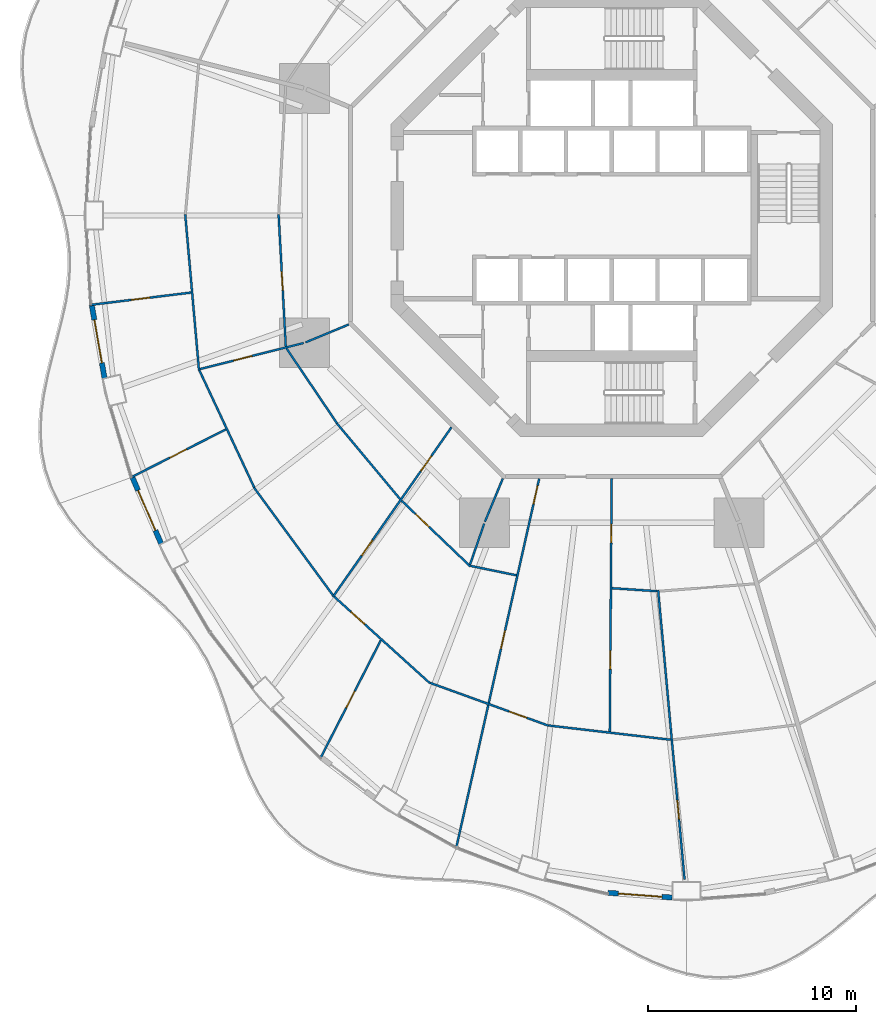
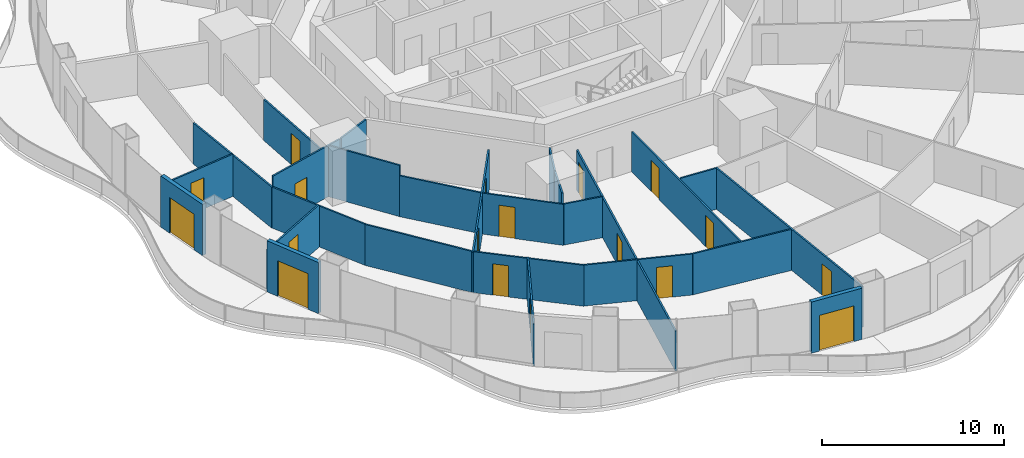
# One storey, part 14 of 22: 26 walls, 18 doors, 18 openings.
"""IFC4 building model written with IfcOpenShell, lengths in metres."""

import ifcopenshell
import ifcopenshell.guid

model = None  # the IFC model being written
_history = None  # IfcOwnerHistory: only IFC2X3 demands one
_inside = {}  # id of a spatial element -> (the spatial element, [elements in it])
_under = {}  # id of a project, library or spatial element -> (it, [spatial elements below it])
_declared = {}  # id of a project -> (the project, [libraries it declares])
_typed = {}  # id of a type object -> (the type object, [elements of that type])
_made_of = {}  # id of a material, layer set ... -> (it, [elements and type objects made of it])


def new_model(schema):
    """Start an empty IFC model of exactly this schema.

    Asked for "IFC4X3", IfcOpenShell would pick the latest addendum, in which some entities
    have other attributes; the version numbers below select the first issue.
    IFC2X3 requires an IfcOwnerHistory on every rooted entity: one is made here for all.
    """
    global model, _history
    if schema == "IFC4X3":
        model = ifcopenshell.file(schema_version=(4, 3, 0, 0))
    else:
        model = ifcopenshell.file(schema=schema)
    _inside.clear()
    _under.clear()
    _declared.clear()
    _typed.clear()
    _made_of.clear()
    _history = None
    if model.schema == "IFC2X3":
        org = make("IfcOrganization", Name="unknown")
        user = make(
            "IfcPersonAndOrganization",
            ThePerson=make("IfcPerson", FamilyName="unknown"),
            TheOrganization=org,
        )
        app = make(
            "IfcApplication",
            ApplicationDeveloper=org,
            Version="unknown",
            ApplicationFullName="unknown",
            ApplicationIdentifier="unknown",
        )
        _history = make(
            "IfcOwnerHistory",
            OwningUser=user,
            OwningApplication=app,
            ChangeAction="ADDED",
            CreationDate=0,
        )
    return model


def make(cls, **values):
    """One entity of the class cls with the attributes given. An attribute that is None is left unset."""
    return model.create_entity(
        cls, **{name: value for name, value in values.items() if value is not None}
    )


def rooted(cls, **values):
    """An entity with a GlobalId (a new one), such as an element, a storey or a relation."""
    return make(cls, GlobalId=ifcopenshell.guid.new(), OwnerHistory=_history, **values)


def si_unit(unit_type, name, prefix=None):
    """IfcSIUnit, for example si_unit("LENGTHUNIT", "METRE", prefix="MILLI")."""
    return make("IfcSIUnit", UnitType=unit_type, Prefix=prefix, Name=name)


def assignment(units):
    """IfcUnitAssignment: the units of a project."""
    return None if units is None else make("IfcUnitAssignment", Units=units)


def point(xyz):
    """IfcCartesianPoint."""
    return None if xyz is None else make("IfcCartesianPoint", Coordinates=xyz)


def direction(xyz):
    """IfcDirection."""
    return None if xyz is None else make("IfcDirection", DirectionRatios=xyz)


def frame(location, z_axis=None, x_axis=None):
    """IfcAxis2Placement3D, a coordinate frame: its origin and axes. An axis left out is left unset."""
    return make(
        "IfcAxis2Placement3D",
        Location=point(location),
        Axis=direction(z_axis),
        RefDirection=direction(x_axis),
    )


def frame_2d(location, x_axis=None):
    """IfcAxis2Placement2D, a coordinate frame in the plane: its origin and x axis."""
    return make(
        "IfcAxis2Placement2D", Location=point(location), RefDirection=direction(x_axis)
    )


def origin():
    """The frame at (0, 0, 0) with its axes left unset."""
    return frame((0.0, 0.0, 0.0))


def place(relative_to, where):
    """IfcLocalPlacement: puts the frame where relative to a parent placement (None: the world)."""
    return make(
        "IfcLocalPlacement", PlacementRelTo=relative_to, RelativePlacement=where
    )


def context(
    kind, dimensions, precision=None, world=None, true_north=None, identifier=None
):
    """IfcGeometricRepresentationContext, for example the 3D "Model" context."""
    return make(
        "IfcGeometricRepresentationContext",
        ContextIdentifier=identifier,
        ContextType=kind,
        CoordinateSpaceDimension=dimensions,
        Precision=precision,
        WorldCoordinateSystem=world,
        TrueNorth=true_north,
    )


def subcontext(parent, identifier, kind, view, scale=None):
    """IfcGeometricRepresentationSubContext, for example "Body" below "Model"."""
    return make(
        "IfcGeometricRepresentationSubContext",
        ContextIdentifier=identifier,
        ContextType=kind,
        ParentContext=parent,
        TargetScale=scale,
        TargetView=view,
    )


def project(units=None, contexts=None):
    """IfcProject with its units and contexts."""
    return rooted(
        "IfcProject",
        Name="project",
        RepresentationContexts=contexts,
        UnitsInContext=assignment(units),
    )


def spatial(cls, under=None, at=None, **own):
    """A site, building, storey or space (cls), placed at a placement, below another one or the project."""
    s = rooted(cls, ObjectPlacement=at, **own)
    if under is not None:
        _under.setdefault(under.id(), (under, []))[1].append(s)
    return s


def profile(cls, at=None, kind="AREA", **sizes):
    """A parametric profile (cls). Its sizes go by their IFC names, for example OverallWidth=200.0."""
    return make(cls, ProfileType=kind, Position=at, **sizes)


def rectangle(**sizes):
    """IfcRectangleProfileDef."""
    return profile("IfcRectangleProfileDef", **sizes)


def extrude(swept, where, along, depth):
    """IfcExtrudedAreaSolid: the profile swept, set in the frame where, extruded along a direction by depth."""
    return make(
        "IfcExtrudedAreaSolid",
        SweptArea=swept,
        Position=where,
        ExtrudedDirection=direction(along),
        Depth=depth,
    )


def shape(context_of_items, identifier, shape_type, items):
    """IfcShapeRepresentation: the items that make up one representation, for example the "Body"."""
    return make(
        "IfcShapeRepresentation",
        ContextOfItems=context_of_items,
        RepresentationIdentifier=identifier,
        RepresentationType=shape_type,
        Items=items,
    )


def material(Name=None, Category=None):
    """IfcMaterial."""
    return make("IfcMaterial", Name=Name, Category=Category)


def layer(
    of_material, thickness, ventilated=None, Name=None, Category=None, Priority=None
):
    """IfcMaterialLayer: one layer of a wall or slab, of a material (None: an air gap)."""
    return make(
        "IfcMaterialLayer",
        Material=of_material,
        LayerThickness=thickness,
        IsVentilated=ventilated,
        Name=Name,
        Category=Category,
        Priority=Priority,
    )


def layer_set(layers, Name=None):
    """IfcMaterialLayerSet."""
    return make("IfcMaterialLayerSet", MaterialLayers=layers, LayerSetName=Name)


def made_of(thing, what):
    """Note that an element or type object is made of a material, layer set ...; save() writes the relation."""
    if what is not None:
        _made_of.setdefault(what.id(), (what, []))[1].append(thing)
    return thing


def type_object(cls, material=None, **own):
    """A type object (cls), such as IfcWallType, which elements share."""
    return made_of(rooted(cls, **own), material)


def element(
    cls,
    number,
    at=None,
    inside=None,
    cuts=None,
    type_object=None,
    material=None,
    context=None,
    identifier="Body",
    shape_type=None,
    held_by="IfcProductDefinitionShape",
    body=None,
    shapes=None,
    **own,
):
    """One element of the class cls, such as IfcWall. Its Tag is "e" and its number.

    at: its placement. inside: the storey or other place that contains it. cuts: it is an
    opening in that element (IfcRelVoidsElement). A single representation is given by context,
    identifier, shape_type and body (its items); several are given by shapes. held_by: the class
    of the entity that holds the representations. save() writes the other relations.
    """
    e = rooted(cls, Tag="e%d" % number, ObjectPlacement=at, **own)
    if body is not None:
        shapes = [shape(context, identifier, shape_type, body)]
    if shapes is not None:
        e.Representation = make(held_by, Representations=shapes)
    if inside is not None:
        _inside.setdefault(inside.id(), (inside, []))[1].append(e)
    if cuts is not None:
        rooted(
            "IfcRelVoidsElement", RelatingBuildingElement=cuts, RelatedOpeningElement=e
        )
    if type_object is not None:
        _typed.setdefault(type_object.id(), (type_object, []))[1].append(e)
    return made_of(e, material)


def fill(opening, filler):
    """IfcRelFillsElement: the door or window that sits in an opening."""
    return rooted(
        "IfcRelFillsElement",
        RelatingOpeningElement=opening,
        RelatedBuildingElement=filler,
    )


def aggregate(whole, parts):
    """IfcRelAggregates: a whole, such as a stair, and the parts it consists of."""
    return rooted("IfcRelAggregates", RelatingObject=whole, RelatedObjects=parts)


def save(model, path):
    """Write the relations noted so far, then the file.

    IfcRelAggregates (storeys below a building ...), IfcRelContainedInSpatialStructure (elements
    in a storey), IfcRelDefinesByType, IfcRelAssociatesMaterial and IfcRelDeclares: one each for
    every whole, place, type object, material and project.
    """
    for whole, parts in _under.values():
        aggregate(whole, parts)
    for where, things in _inside.values():
        rooted(
            "IfcRelContainedInSpatialStructure",
            RelatedElements=things,
            RelatingStructure=where,
        )
    for kind, things in _typed.values():
        rooted("IfcRelDefinesByType", RelatedObjects=things, RelatingType=kind)
    for what, things in _made_of.values():
        rooted("IfcRelAssociatesMaterial", RelatedObjects=things, RelatingMaterial=what)
    for by, libraries in _declared.values():
        rooted("IfcRelDeclares", RelatingContext=by, RelatedDefinitions=libraries)
    model.write(path)


model = new_model("IFC4")

# Units and contexts
model_context = context("Model", 3, precision=1e-05, world=origin(), true_north=direction((0.0, 1.0)))
body_context = subcontext(model_context, "Body", "Model", "MODEL_VIEW")
ifc_project = project(units=[si_unit("LENGTHUNIT", "METRE"), si_unit("AREAUNIT", "SQUARE_METRE"), si_unit("VOLUMEUNIT", "CUBIC_METRE"), si_unit("PLANEANGLEUNIT", "RADIAN"), si_unit("MASSUNIT", "GRAM", prefix="KILO")], contexts=[model_context])

# Site, building, storey
site_placement = place(None, origin())
site = spatial("IfcSite", under=ifc_project, at=site_placement, CompositionType="ELEMENT")
building_placement = place(site_placement, origin())
building = spatial("IfcBuilding", under=site, at=building_placement, Name="Nagisa Residences", CompositionType="ELEMENT")
storey_placement = place(building_placement, frame((0.0, 0.0, 41.800048828125)))
storey = spatial("IfcBuildingStorey", under=building, at=storey_placement, Name="L09", CompositionType="ELEMENT", Elevation=41.800048828125)

# Wall, opening, door
ifc_material_1 = material(Name="Gypsum board on steel studs", Category="steel")
ifc_layer_1 = layer(ifc_material_1, 0.10009765625)
ifc_layer_set_1 = layer_set([ifc_layer_1], Name="Apartment partition 100")
wall_type_1 = type_object("IfcWallType", Name="Apartment partition 100", PredefinedType="PARTITIONING", material=ifc_layer_set_1)
wall_1_placement = place(storey_placement, frame((-16.032958984375, 0.050048828125, 0.0), z_axis=(0.0, 0.0, 1.0), x_axis=(0.054634315779, -0.998506430395, 0.0)))
wall_1 = element("IfcWall", 1, at=wall_1_placement, inside=storey, type_object=wall_type_1, Name="wall:L09:u54", PredefinedType="PARTITIONING", context=body_context, shape_type="SweptSolid", body=[
    extrude(rectangle(XDim=6.35888671875, YDim=0.10009765625, at=frame_2d((3.179443359375, 0.0))), origin(), (0.0, 0.0, 1.0), 2.755859375),
])
opening_1_placement = place(wall_1_placement, frame((2.75439453125, 0.0, 0.0)))
opening_1 = element("IfcOpeningElement", 2, at=opening_1_placement, cuts=wall_1, Name="Opening L09-U37", PredefinedType="OPENING", context=body_context, shape_type="SweptSolid", body=[
    extrude(rectangle(XDim=0.89990234375, YDim=2.10009765625, at=frame_2d((0.449951171875, 1.050048828125))), frame((0.0, 0.06005859375, 0.0), z_axis=(0.0, -1.0, 0.0), x_axis=(1.0, 0.0, 0.0)), (0.0, 0.0, 1.0), 0.1201171875),
])
ifc_material_2 = material(Name="Timber door set", Category="wood")
door_type_1 = type_object("IfcDoorType", Name="Apartment door 900x2100", OperationType="NOTDEFINED", PredefinedType="DOOR", material=ifc_material_2)
door_1_placement = place(opening_1_placement, origin())
door_1 = element("IfcDoor", 3, at=door_1_placement, inside=storey, type_object=door_type_1, Name="Door to store, Apartment 09B", OperationType="SINGLE_SWING_LEFT", OverallHeight=2.10009765625, OverallWidth=0.89990234375, PredefinedType="DOOR", context=body_context, shape_type="SweptSolid", body=[
    extrude(rectangle(XDim=0.89990234375, YDim=2.10009765625, at=frame_2d((0.449951171875, 1.050048828125))), frame((0.0, 0.02490234375, 0.0), z_axis=(0.0, -1.0, 0.0), x_axis=(1.0, 0.0, 0.0)), (0.0, 0.0, 1.0), 0.050048828125),
])
fill(opening_1, door_1)

# Wall
wall_2_placement = place(storey_placement, frame((-20.527099609375, 0.0498046875, 0.0), z_axis=(0.0, 0.0, 1.0), x_axis=(0.088135127406, -0.996108527881, 0.0)))
element("IfcWall", 4, at=wall_2_placement, inside=storey, type_object=wall_type_1, Name="wall:L09:u55", PredefinedType="PARTITIONING", context=body_context, shape_type="SweptSolid", body=[
    extrude(rectangle(XDim=7.529052734375, YDim=0.10009765625, at=frame_2d((3.7646484375, 0.0))), origin(), (0.0, 0.0, 1.0), 2.755859375),
])

# Wall, opening, door
wall_3_placement = place(storey_placement, frame((-20.244873046875, -3.7060546875, 0.0), z_axis=(0.0, 0.0, 1.0), x_axis=(-0.992575966227, -0.121626277047, 0.0)))
wall_3 = element("IfcWall", 5, at=wall_3_placement, inside=storey, type_object=wall_type_1, Name="wall:L09:u56", PredefinedType="PARTITIONING", context=body_context, shape_type="SweptSolid", body=[
    extrude(rectangle(XDim=4.90380859375, YDim=0.10009765625, at=frame_2d((2.451904296875, 0.0))), origin(), (0.0, 0.0, 1.0), 2.8369140625),
])
opening_2_placement = place(wall_3_placement, frame((2.001708984375, 0.0, 0.0)))
opening_2 = element("IfcOpeningElement", 6, at=opening_2_placement, cuts=wall_3, Name="Opening L09-U36", PredefinedType="OPENING", context=body_context, shape_type="SweptSolid", body=[
    extrude(rectangle(XDim=0.89990234375, YDim=2.10009765625, at=frame_2d((0.449951171875, 1.050048828125))), frame((0.0, 0.06005859375, 0.0), z_axis=(0.0, -1.0, 0.0), x_axis=(1.0, 0.0, 0.0)), (0.0, 0.0, 1.0), 0.1201171875),
])
door_2_placement = place(opening_2_placement, frame((0.89990234375, 0.0, 0.0), x_axis=(-1.0, 0.0, 0.0)))
door_2 = element("IfcDoor", 7, at=door_2_placement, inside=storey, type_object=door_type_1, Name="Door to master bedroom, Apartment 09B", OperationType="SINGLE_SWING_LEFT", OverallHeight=2.10009765625, OverallWidth=0.89990234375, PredefinedType="DOOR", context=body_context, shape_type="SweptSolid", body=[
    extrude(rectangle(XDim=0.89990234375, YDim=2.10009765625, at=frame_2d((0.449951171875, 1.050048828125))), frame((0.0, 0.02490234375, 0.0), z_axis=(0.0, -1.0, 0.0), x_axis=(1.0, 0.0, 0.0)), (0.0, 0.0, 1.0), 0.050048828125),
])
fill(opening_2, door_2)

# Wall
wall_4_placement = place(storey_placement, frame((-12.6572265625, -5.24267578125, 0.0), z_axis=(0.0, 0.0, 1.0), x_axis=(-0.923864733477, -0.382719158442, 0.0)))
element("IfcWall", 8, at=wall_4_placement, inside=storey, type_object=wall_type_1, Name="wall:L09:u57", PredefinedType="PARTITIONING", context=body_context, shape_type="SweptSolid", body=[
    extrude(rectangle(XDim=2.25, YDim=0.10009765625, at=frame_2d((1.125, 0.0))), origin(), (0.0, 0.0, 1.0), 3.43994140625),
])

# Wall, opening, door
wall_5_placement = place(storey_placement, frame((-14.83056640625, -6.135009765625, 0.0), z_axis=(0.0, 0.0, 1.0), x_axis=(-0.96988230015, -0.243574062362, 0.0)))
wall_5 = element("IfcWall", 9, at=wall_5_placement, inside=storey, type_object=wall_type_1, Name="wall:L09:u58", PredefinedType="PARTITIONING", context=body_context, shape_type="SweptSolid", body=[
    extrude(rectangle(XDim=5.14404296875, YDim=0.10009765625, at=frame_2d((2.572021484375, 0.0))), origin(), (0.0, 0.0, 1.0), 3.43994140625),
])
opening_3_placement = place(wall_5_placement, frame((2.561279296875, 0.0, 0.0)))
opening_3 = element("IfcOpeningElement", 10, at=opening_3_placement, cuts=wall_5, Name="Opening L09-U35", PredefinedType="OPENING", context=body_context, shape_type="SweptSolid", body=[
    extrude(rectangle(XDim=0.89990234375, YDim=2.10009765625, at=frame_2d((0.449951171875, 1.050048828125))), frame((0.0, 0.06005859375, 0.0), z_axis=(0.0, -1.0, 0.0), x_axis=(1.0, 0.0, 0.0)), (0.0, 0.0, 1.0), 0.1201171875),
])
door_3_placement = place(opening_3_placement, frame((0.89990234375, 0.0, 0.0), x_axis=(-1.0, 0.0, 0.0)))
door_3 = element("IfcDoor", 11, at=door_3_placement, inside=storey, type_object=door_type_1, Name="Door to dining room, Apartment 09B", OperationType="SINGLE_SWING_RIGHT", OverallHeight=2.10009765625, OverallWidth=0.89990234375, PredefinedType="DOOR", context=body_context, shape_type="SweptSolid", body=[
    extrude(rectangle(XDim=0.89990234375, YDim=2.10009765625, at=frame_2d((0.449951171875, 1.050048828125))), frame((0.0, 0.02490234375, 0.0), z_axis=(0.0, -1.0, 0.0), x_axis=(1.0, 0.0, 0.0)), (0.0, 0.0, 1.0), 0.050048828125),
])
fill(opening_3, door_3)

# Walls
wall_6_placement = place(storey_placement, frame((-15.655029296875, -6.390625, 0.0), z_axis=(0.0, 0.0, 1.0), x_axis=(0.559126445155, -0.82908239538, 0.0)))
element("IfcWall", 12, at=wall_6_placement, inside=storey, type_object=wall_type_1, Name="wall:L09:u59", PredefinedType="PARTITIONING", context=body_context, shape_type="SweptSolid", body=[
    extrude(rectangle(XDim=4.358154296875, YDim=0.10009765625, at=frame_2d((2.17919921875, 0.0))), origin(), (0.0, 0.0, 1.0), 3.43994140625),
])
wall_7_placement = place(storey_placement, frame((-19.8466796875, -7.4453125, 0.0), z_axis=(0.0, 0.0, 1.0), x_axis=(0.423892287987, -0.905712607942, 0.0)))
element("IfcWall", 13, at=wall_7_placement, inside=storey, type_object=wall_type_1, Name="wall:L09:u60", PredefinedType="PARTITIONING", context=body_context, shape_type="SweptSolid", body=[
    extrude(rectangle(XDim=6.237548828125, YDim=0.10009765625, at=frame_2d((3.11865234375, 0.0))), origin(), (0.0, 0.0, 1.0), 2.755859375),
])

# Wall, opening, door
wall_8_placement = place(storey_placement, frame((-18.5693359375, -10.29248046875, 0.0), z_axis=(0.0, 0.0, 1.0), x_axis=(-0.892519131357, -0.451009534446, 0.0)))
wall_8 = element("IfcWall", 14, at=wall_8_placement, inside=storey, type_object=wall_type_1, Name="wall:L09:u61", PredefinedType="PARTITIONING", context=body_context, shape_type="SweptSolid", body=[
    extrude(rectangle(XDim=5.139892578125, YDim=0.10009765625, at=frame_2d((2.56982421875, 0.0))), origin(), (0.0, 0.0, 1.0), 2.8369140625),
])
opening_4_placement = place(wall_8_placement, frame((2.119873046875, 0.0, 0.0)))
opening_4 = element("IfcOpeningElement", 15, at=opening_4_placement, cuts=wall_8, Name="Opening L09-U33", PredefinedType="OPENING", context=body_context, shape_type="SweptSolid", body=[
    extrude(rectangle(XDim=0.89990234375, YDim=2.10009765625, at=frame_2d((0.449951171875, 1.050048828125))), frame((0.0, 0.06005859375, 0.0), z_axis=(0.0, -1.0, 0.0), x_axis=(1.0, 0.0, 0.0)), (0.0, 0.0, 1.0), 0.1201171875),
])
door_4_placement = place(opening_4_placement, frame((0.89990234375, 0.0, 0.0), x_axis=(-1.0, 0.0, 0.0)))
door_4 = element("IfcDoor", 16, at=door_4_placement, inside=storey, type_object=door_type_1, Name="Door to study, Apartment 09B", OperationType="SINGLE_SWING_RIGHT", OverallHeight=2.10009765625, OverallWidth=0.89990234375, PredefinedType="DOOR", context=body_context, shape_type="SweptSolid", body=[
    extrude(rectangle(XDim=0.89990234375, YDim=2.10009765625, at=frame_2d((0.449951171875, 1.050048828125))), frame((0.0, 0.02490234375, 0.0), z_axis=(0.0, -1.0, 0.0), x_axis=(1.0, 0.0, 0.0)), (0.0, 0.0, 1.0), 0.050048828125),
])
fill(opening_4, door_4)

# Walls
wall_9_placement = place(storey_placement, frame((-13.222412109375, -10.0068359375, 0.0), z_axis=(0.0, 0.0, 1.0), x_axis=(0.640807748916, -0.767701393075, 0.0)))
element("IfcWall", 17, at=wall_9_placement, inside=storey, type_object=wall_type_1, Name="wall:L09:u62", PredefinedType="PARTITIONING", context=body_context, shape_type="SweptSolid", body=[
    extrude(rectangle(XDim=4.73681640625, YDim=0.10009765625, at=frame_2d((2.368408203125, 0.0))), origin(), (0.0, 0.0, 1.0), 2.755859375),
])
wall_10_placement = place(storey_placement, frame((-17.2109375, -13.099609375, 0.0), z_axis=(0.0, 0.0, 1.0), x_axis=(0.591206785834, -0.806520016109, 0.0)))
element("IfcWall", 18, at=wall_10_placement, inside=storey, type_object=wall_type_1, Name="wall:L09:u63", PredefinedType="PARTITIONING", context=body_context, shape_type="SweptSolid", body=[
    extrude(rectangle(XDim=6.409912109375, YDim=0.10009765625, at=frame_2d((3.205078125, 0.0))), origin(), (0.0, 0.0, 1.0), 2.755859375),
])

# Wall, openings, doors
wall_11_placement = place(storey_placement, frame((-7.71533203125, -10.193359375, 0.0), z_axis=(0.0, 0.0, 1.0), x_axis=(-0.573126502256, -0.819466907454, 0.0)))
wall_11 = element("IfcWall", 19, at=wall_11_placement, inside=storey, type_object=wall_type_1, Name="wall:L09:u64", PredefinedType="PARTITIONING", context=body_context, shape_type="SweptSolid", body=[
    extrude(rectangle(XDim=9.954345703125, YDim=0.10009765625, at=frame_2d((4.97705078125, 0.0))), origin(), (0.0, 0.0, 1.0), 2.68701171875),
])
opening_5_placement = place(wall_11_placement, frame((6.630615234375, 0.0, 0.0)))
opening_5 = element("IfcOpeningElement", 20, at=opening_5_placement, cuts=wall_11, Name="Opening L09-U32", PredefinedType="OPENING", context=body_context, shape_type="SweptSolid", body=[
    extrude(rectangle(XDim=0.89990234375, YDim=2.10009765625, at=frame_2d((0.449951171875, 1.050048828125))), frame((0.0, 0.06005859375, 0.0), z_axis=(0.0, -1.0, 0.0), x_axis=(1.0, 0.0, 0.0)), (0.0, 0.0, 1.0), 0.1201171875),
])
opening_6_placement = place(wall_11_placement, frame((1.678466796875, 0.0, 0.0)))
opening_6 = element("IfcOpeningElement", 21, at=opening_6_placement, cuts=wall_11, Name="Opening L09-U34", PredefinedType="OPENING", context=body_context, shape_type="SweptSolid", body=[
    extrude(rectangle(XDim=0.89990234375, YDim=2.10009765625, at=frame_2d((0.449951171875, 1.050048828125))), frame((0.0, 0.06005859375, 0.0), z_axis=(0.0, -1.0, 0.0), x_axis=(1.0, 0.0, 0.0)), (0.0, 0.0, 1.0), 0.1201171875),
])
door_5_placement = place(opening_5_placement, frame((0.89990234375, 0.0, 0.0), x_axis=(-1.0, 0.0, 0.0)))
door_5 = element("IfcDoor", 22, at=door_5_placement, inside=storey, type_object=door_type_1, Name="Door to family room, Apartment 09B", OperationType="SINGLE_SWING_LEFT", OverallHeight=2.10009765625, OverallWidth=0.89990234375, PredefinedType="DOOR", context=body_context, shape_type="SweptSolid", body=[
    extrude(rectangle(XDim=0.89990234375, YDim=2.10009765625, at=frame_2d((0.449951171875, 1.050048828125))), frame((0.0, 0.02490234375, 0.0), z_axis=(0.0, -1.0, 0.0), x_axis=(1.0, 0.0, 0.0)), (0.0, 0.0, 1.0), 0.050048828125),
])
fill(opening_5, door_5)
door_6_placement = place(opening_6_placement, frame((0.89990234375, 0.0, 0.0), x_axis=(-1.0, 0.0, 0.0)))
door_6 = element("IfcDoor", 23, at=door_6_placement, inside=storey, type_object=door_type_1, Name="Door to store, Apartment 09B", OperationType="SINGLE_SWING_LEFT", OverallHeight=2.10009765625, OverallWidth=0.89990234375, PredefinedType="DOOR", context=body_context, shape_type="SweptSolid", body=[
    extrude(rectangle(XDim=0.89990234375, YDim=2.10009765625, at=frame_2d((0.449951171875, 1.050048828125))), frame((0.0, 0.02490234375, 0.0), z_axis=(0.0, -1.0, 0.0), x_axis=(1.0, 0.0, 0.0)), (0.0, 0.0, 1.0), 0.050048828125),
])
fill(opening_6, door_6)

# Wall, opening, door
wall_12_placement = place(storey_placement, frame((-10.118896484375, -13.716064453125, 0.0), z_axis=(0.0, 0.0, 1.0), x_axis=(0.722763212502, -0.69109575216, 0.0)))
wall_12 = element("IfcWall", 24, at=wall_12_placement, inside=storey, type_object=wall_type_1, Name="wall:L09:u65", PredefinedType="PARTITIONING", context=body_context, shape_type="SweptSolid", body=[
    extrude(rectangle(XDim=4.587158203125, YDim=0.10009765625, at=frame_2d((2.29345703125, 0.0))), origin(), (0.0, 0.0, 1.0), 2.755859375),
])
opening_7_placement = place(wall_12_placement, frame((0.9375, 0.0, 0.0)))
opening_7 = element("IfcOpeningElement", 25, at=opening_7_placement, cuts=wall_12, Name="Opening L09-U31", PredefinedType="OPENING", context=body_context, shape_type="SweptSolid", body=[
    extrude(rectangle(XDim=0.89990234375, YDim=2.10009765625, at=frame_2d((0.449951171875, 1.050048828125))), frame((0.0, 0.06005859375, 0.0), z_axis=(0.0, -1.0, 0.0), x_axis=(1.0, 0.0, 0.0)), (0.0, 0.0, 1.0), 0.1201171875),
])
door_7_placement = place(opening_7_placement, origin())
door_7 = element("IfcDoor", 26, at=door_7_placement, inside=storey, type_object=door_type_1, Name="Door to laundry, Apartment 09B", OperationType="SINGLE_SWING_LEFT", OverallHeight=2.10009765625, OverallWidth=0.89990234375, PredefinedType="DOOR", context=body_context, shape_type="SweptSolid", body=[
    extrude(rectangle(XDim=0.89990234375, YDim=2.10009765625, at=frame_2d((0.449951171875, 1.050048828125))), frame((0.0, 0.02490234375, 0.0), z_axis=(0.0, -1.0, 0.0), x_axis=(1.0, 0.0, 0.0)), (0.0, 0.0, 1.0), 0.050048828125),
])
fill(opening_7, door_7)

wall_13_placement = place(storey_placement, frame((-13.354736328125, -18.34326171875, 0.0), z_axis=(0.0, 0.0, 1.0), x_axis=(0.741720189244, -0.670709445936, 0.0)))
wall_13 = element("IfcWall", 27, at=wall_13_placement, inside=storey, type_object=wall_type_1, Name="wall:L09:u66", PredefinedType="PARTITIONING", context=body_context, shape_type="SweptSolid", body=[
    extrude(rectangle(XDim=6.209228515625, YDim=0.10009765625, at=frame_2d((3.1044921875, 0.0))), origin(), (0.0, 0.0, 1.0), 2.755859375),
])
opening_8_placement = place(wall_13_placement, frame((1.077392578125, 0.0, 0.0)))
opening_8 = element("IfcOpeningElement", 28, at=opening_8_placement, cuts=wall_13, Name="Opening L09-U27", PredefinedType="OPENING", context=body_context, shape_type="SweptSolid", body=[
    extrude(rectangle(XDim=0.89990234375, YDim=2.10009765625, at=frame_2d((0.449951171875, 1.050048828125))), frame((0.0, 0.06005859375, 0.0), z_axis=(0.0, -1.0, 0.0), x_axis=(1.0, 0.0, 0.0)), (0.0, 0.0, 1.0), 0.1201171875),
])
door_8_placement = place(opening_8_placement, frame((0.89990234375, 0.0, 0.0), x_axis=(-1.0, 0.0, 0.0)))
door_8 = element("IfcDoor", 29, at=door_8_placement, inside=storey, type_object=door_type_1, Name="Door to family room, Apartment 09B", OperationType="SINGLE_SWING_RIGHT", OverallHeight=2.10009765625, OverallWidth=0.89990234375, PredefinedType="DOOR", context=body_context, shape_type="SweptSolid", body=[
    extrude(rectangle(XDim=0.89990234375, YDim=2.10009765625, at=frame_2d((0.449951171875, 1.050048828125))), frame((0.0, 0.02490234375, 0.0), z_axis=(0.0, -1.0, 0.0), x_axis=(1.0, 0.0, 0.0)), (0.0, 0.0, 1.0), 0.050048828125),
])
fill(opening_8, door_8)

wall_14_placement = place(storey_placement, frame((-11.11181640625, -20.4365234375, 0.0), z_axis=(0.0, 0.0, 1.0), x_axis=(-0.455901610863, -0.890030179945, 0.0)))
wall_14 = element("IfcWall", 30, at=wall_14_placement, inside=storey, type_object=wall_type_1, Name="wall:L09:u67", PredefinedType="PARTITIONING", context=body_context, shape_type="SweptSolid", body=[
    extrude(rectangle(XDim=6.413818359375, YDim=0.10009765625, at=frame_2d((3.20703125, 0.0))), origin(), (0.0, 0.0, 1.0), 2.8369140625),
])
opening_9_placement = place(wall_14_placement, frame((2.7568359375, 0.0, 0.0)))
opening_9 = element("IfcOpeningElement", 31, at=opening_9_placement, cuts=wall_14, Name="Opening L09-U28", PredefinedType="OPENING", context=body_context, shape_type="SweptSolid", body=[
    extrude(rectangle(XDim=0.89990234375, YDim=2.10009765625, at=frame_2d((0.449951171875, 1.050048828125))), frame((0.0, 0.06005859375, 0.0), z_axis=(0.0, -1.0, 0.0), x_axis=(1.0, 0.0, 0.0)), (0.0, 0.0, 1.0), 0.1201171875),
])
door_9_placement = place(opening_9_placement, origin())
door_9 = element("IfcDoor", 32, at=door_9_placement, inside=storey, type_object=door_type_1, Name="Door to master bedroom, Apartment 09B", OperationType="SINGLE_SWING_RIGHT", OverallHeight=2.10009765625, OverallWidth=0.89990234375, PredefinedType="DOOR", context=body_context, shape_type="SweptSolid", body=[
    extrude(rectangle(XDim=0.89990234375, YDim=2.10009765625, at=frame_2d((0.449951171875, 1.050048828125))), frame((0.0, 0.02490234375, 0.0), z_axis=(0.0, -1.0, 0.0), x_axis=(1.0, 0.0, 0.0)), (0.0, 0.0, 1.0), 0.050048828125),
])
fill(opening_9, door_9)

# Walls
wall_15_placement = place(storey_placement, frame((-5.24267578125, -12.6572265625, 0.0), z_axis=(0.0, 0.0, 1.0), x_axis=(-0.382719158442, -0.923864733477, 0.0)))
element("IfcWall", 33, at=wall_15_placement, inside=storey, type_object=wall_type_1, Name="wall:L09:u68", PredefinedType="PARTITIONING", context=body_context, shape_type="SweptSolid", body=[
    extrude(rectangle(XDim=2.25, YDim=0.10009765625, at=frame_2d((1.125, 0.0))), origin(), (0.0, 0.0, 1.0), 3.43994140625),
])
wall_16_placement = place(storey_placement, frame((-6.139404296875, -14.829833984375, 0.0), z_axis=(0.0, 0.0, 1.0), x_axis=(-0.327246993321, -0.944938836837, 0.0)))
element("IfcWall", 34, at=wall_16_placement, inside=storey, type_object=wall_type_1, Name="wall:L09:u69", PredefinedType="PARTITIONING", context=body_context, shape_type="SweptSolid", body=[
    extrude(rectangle(XDim=2.089599609375, YDim=0.10009765625, at=frame_2d((1.044921875, 0.0))), origin(), (0.0, 0.0, 1.0), 3.43994140625),
])
wall_17_placement = place(storey_placement, frame((-6.79052734375, -16.861572265625, 0.0), z_axis=(0.0, 0.0, 1.0), x_axis=(0.979581941859, -0.201045316246, 0.0)))
element("IfcWall", 35, at=wall_17_placement, inside=storey, type_object=wall_type_1, Name="wall:L09:u70", PredefinedType="PARTITIONING", context=body_context, shape_type="SweptSolid", body=[
    extrude(rectangle(XDim=2.25634765625, YDim=0.10009765625, at=frame_2d((1.128173828125, 0.0))), origin(), (0.0, 0.0, 1.0), 2.755859375),
])

# Wall, opening, door
wall_18_placement = place(storey_placement, frame((-8.7392578125, -22.4912109375, 0.0), z_axis=(0.0, 0.0, 1.0), x_axis=(0.940401691072, -0.340065669288, 0.0)))
wall_18 = element("IfcWall", 36, at=wall_18_placement, inside=storey, type_object=wall_type_1, Name="wall:L09:u71", PredefinedType="PARTITIONING", context=body_context, shape_type="SweptSolid", body=[
    extrude(rectangle(XDim=6.067138671875, YDim=0.10009765625, at=frame_2d((3.03369140625, 0.0))), origin(), (0.0, 0.0, 1.0), 2.755859375),
])
opening_10_placement = place(wall_18_placement, frame((4.05029296875, 0.0, 0.0)))
opening_10 = element("IfcOpeningElement", 37, at=opening_10_placement, cuts=wall_18, Name="Opening L09-U29", PredefinedType="OPENING", context=body_context, shape_type="SweptSolid", body=[
    extrude(rectangle(XDim=0.89990234375, YDim=2.10009765625, at=frame_2d((0.449951171875, 1.050048828125))), frame((0.0, 0.06005859375, 0.0), z_axis=(0.0, -1.0, 0.0), x_axis=(1.0, 0.0, 0.0)), (0.0, 0.0, 1.0), 0.1201171875),
])
door_10_placement = place(opening_10_placement, frame((0.89990234375, 0.0, 0.0), x_axis=(-1.0, 0.0, 0.0)))
door_10 = element("IfcDoor", 38, at=door_10_placement, inside=storey, type_object=door_type_1, Name="Door to dining room, Apartment 09B", OperationType="SINGLE_SWING_RIGHT", OverallHeight=2.10009765625, OverallWidth=0.89990234375, PredefinedType="DOOR", context=body_context, shape_type="SweptSolid", body=[
    extrude(rectangle(XDim=0.89990234375, YDim=2.10009765625, at=frame_2d((0.449951171875, 1.050048828125))), frame((0.0, 0.02490234375, 0.0), z_axis=(0.0, -1.0, 0.0), x_axis=(1.0, 0.0, 0.0)), (0.0, 0.0, 1.0), 0.050048828125),
])
fill(opening_10, door_10)

# Wall, openings, doors
wall_19_placement = place(storey_placement, frame((-3.49169921875, -12.662353515625, 0.0), z_axis=(0.0, 0.0, 1.0), x_axis=(-0.219268088006, -0.975664648115, 0.0)))
wall_19 = element("IfcWall", 39, at=wall_19_placement, inside=storey, type_object=wall_type_1, Name="wall:L09:u72", PredefinedType="PARTITIONING", context=body_context, shape_type="SweptSolid", body=[
    extrude(rectangle(XDim=18.230224609375, YDim=0.10009765625, at=frame_2d((9.115234375, 0.0))), origin(), (0.0, 0.0, 1.0), 2.68701171875),
])
opening_11_placement = place(wall_19_placement, frame((0.35009765625, 0.0, 0.0)))
opening_11 = element("IfcOpeningElement", 40, at=opening_11_placement, cuts=wall_19, Name="Opening L09-U22", PredefinedType="OPENING", context=body_context, shape_type="SweptSolid", body=[
    extrude(rectangle(XDim=0.89990234375, YDim=2.10009765625, at=frame_2d((0.449951171875, 1.050048828125))), frame((0.0, 0.06005859375, 0.0), z_axis=(0.0, -1.0, 0.0), x_axis=(1.0, 0.0, 0.0)), (0.0, 0.0, 1.0), 0.1201171875),
])
opening_12_placement = place(wall_19_placement, frame((7.49658203125, 0.0, 0.0)))
opening_12 = element("IfcOpeningElement", 41, at=opening_12_placement, cuts=wall_19, Name="Opening L09-U24", PredefinedType="OPENING", context=body_context, shape_type="SweptSolid", body=[
    extrude(rectangle(XDim=0.89990234375, YDim=2.10009765625, at=frame_2d((0.449951171875, 1.050048828125))), frame((0.0, 0.06005859375, 0.0), z_axis=(0.0, -1.0, 0.0), x_axis=(1.0, 0.0, 0.0)), (0.0, 0.0, 1.0), 0.1201171875),
])
door_11_placement = place(opening_11_placement, frame((0.89990234375, 0.0, 0.0), x_axis=(-1.0, 0.0, 0.0)))
door_11 = element("IfcDoor", 42, at=door_11_placement, inside=storey, type_object=door_type_1, Name="Door to family bathroom, Apartment 09B", OperationType="SINGLE_SWING_LEFT", OverallHeight=2.10009765625, OverallWidth=0.89990234375, PredefinedType="DOOR", context=body_context, shape_type="SweptSolid", body=[
    extrude(rectangle(XDim=0.89990234375, YDim=2.10009765625, at=frame_2d((0.449951171875, 1.050048828125))), frame((0.0, 0.02490234375, 0.0), z_axis=(0.0, -1.0, 0.0), x_axis=(1.0, 0.0, 0.0)), (0.0, 0.0, 1.0), 0.050048828125),
])
fill(opening_11, door_11)
door_12_placement = place(opening_12_placement, frame((0.89990234375, 0.0, 0.0), x_axis=(-1.0, 0.0, 0.0)))
door_12 = element("IfcDoor", 43, at=door_12_placement, inside=storey, type_object=door_type_1, Name="Door to dining room, Apartment 09B", OperationType="SINGLE_SWING_LEFT", OverallHeight=2.10009765625, OverallWidth=0.89990234375, PredefinedType="DOOR", context=body_context, shape_type="SweptSolid", body=[
    extrude(rectangle(XDim=0.89990234375, YDim=2.10009765625, at=frame_2d((0.449951171875, 1.050048828125))), frame((0.0, 0.02490234375, 0.0), z_axis=(0.0, -1.0, 0.0), x_axis=(1.0, 0.0, 0.0)), (0.0, 0.0, 1.0), 0.050048828125),
])
fill(opening_12, door_12)

# Wall
wall_20_placement = place(storey_placement, frame((-3.03125, -24.543212890625, 0.0), z_axis=(0.0, 0.0, 1.0), x_axis=(0.993255612046, -0.115945198862, 0.0)))
element("IfcWall", 44, at=wall_20_placement, inside=storey, type_object=wall_type_1, Name="wall:L09:u73", PredefinedType="PARTITIONING", context=body_context, shape_type="SweptSolid", body=[
    extrude(rectangle(XDim=5.91259765625, YDim=0.10009765625, at=frame_2d((2.956298828125, 0.0))), origin(), (0.0, 0.0, 1.0), 2.755859375),
])

# Wall, openings, doors
wall_21_placement = place(storey_placement, frame((-0.000732421875, -12.664794921875, 0.0), z_axis=(0.0, 0.0, 1.0), x_axis=(-0.007702417287, -0.999970335944, 0.0)))
wall_21 = element("IfcWall", 45, at=wall_21_placement, inside=storey, type_object=wall_type_1, Name="wall:L09:u74", PredefinedType="PARTITIONING", context=body_context, shape_type="SweptSolid", body=[
    extrude(rectangle(XDim=12.17138671875, YDim=0.10009765625, at=frame_2d((6.085693359375, 0.0))), origin(), (0.0, 0.0, 1.0), 2.68701171875),
])
opening_13_placement = place(wall_21_placement, frame((2.182861328125, 0.0, 0.0)))
opening_13 = element("IfcOpeningElement", 46, at=opening_13_placement, cuts=wall_21, Name="Opening L09-U23", PredefinedType="OPENING", context=body_context, shape_type="SweptSolid", body=[
    extrude(rectangle(XDim=0.89990234375, YDim=2.10009765625, at=frame_2d((0.449951171875, 1.050048828125))), frame((0.0, 0.06005859375, 0.0), z_axis=(0.0, -1.0, 0.0), x_axis=(1.0, 0.0, 0.0)), (0.0, 0.0, 1.0), 0.1201171875),
])
opening_14_placement = place(wall_21_placement, frame((8.268798828125, 0.0, 0.0)))
opening_14 = element("IfcOpeningElement", 47, at=opening_14_placement, cuts=wall_21, Name="Opening L09-U25", PredefinedType="OPENING", context=body_context, shape_type="SweptSolid", body=[
    extrude(rectangle(XDim=0.89990234375, YDim=2.10009765625, at=frame_2d((0.449951171875, 1.050048828125))), frame((0.0, 0.06005859375, 0.0), z_axis=(0.0, -1.0, 0.0), x_axis=(1.0, 0.0, 0.0)), (0.0, 0.0, 1.0), 0.1201171875),
])
door_13_placement = place(opening_13_placement, origin())
door_13 = element("IfcDoor", 48, at=door_13_placement, inside=storey, type_object=door_type_1, Name="Door to laundry, Apartment 09B", OperationType="SINGLE_SWING_LEFT", OverallHeight=2.10009765625, OverallWidth=0.89990234375, PredefinedType="DOOR", context=body_context, shape_type="SweptSolid", body=[
    extrude(rectangle(XDim=0.89990234375, YDim=2.10009765625, at=frame_2d((0.449951171875, 1.050048828125))), frame((0.0, 0.02490234375, 0.0), z_axis=(0.0, -1.0, 0.0), x_axis=(1.0, 0.0, 0.0)), (0.0, 0.0, 1.0), 0.050048828125),
])
fill(opening_13, door_13)
door_14_placement = place(opening_14_placement, origin())
door_14 = element("IfcDoor", 49, at=door_14_placement, inside=storey, type_object=door_type_1, Name="Door to family bathroom, Apartment 09B", OperationType="SINGLE_SWING_LEFT", OverallHeight=2.10009765625, OverallWidth=0.89990234375, PredefinedType="DOOR", context=body_context, shape_type="SweptSolid", body=[
    extrude(rectangle(XDim=0.89990234375, YDim=2.10009765625, at=frame_2d((0.449951171875, 1.050048828125))), frame((0.0, 0.02490234375, 0.0), z_axis=(0.0, -1.0, 0.0), x_axis=(1.0, 0.0, 0.0)), (0.0, 0.0, 1.0), 0.050048828125),
])
fill(opening_14, door_14)

# Wall
wall_22_placement = place(storey_placement, frame((0.008544921875, -17.933837890625, 0.0), z_axis=(0.0, 0.0, 1.0), x_axis=(0.997794542617, -0.066378089183, 0.0)))
element("IfcWall", 50, at=wall_22_placement, inside=storey, type_object=wall_type_1, Name="wall:L09:u75", PredefinedType="PARTITIONING", context=body_context, shape_type="SweptSolid", body=[
    extrude(rectangle(XDim=2.184814453125, YDim=0.10009765625, at=frame_2d((1.09228515625, 0.0))), origin(), (0.0, 0.0, 1.0), 2.755859375),
])

# Wall, opening, door
wall_23_placement = place(storey_placement, frame((2.23388671875, -18.032470703125, 0.0), z_axis=(0.0, 0.0, 1.0), x_axis=(0.090891502968, -0.995860800859, 0.0)))
wall_23 = element("IfcWall", 51, at=wall_23_placement, inside=storey, type_object=wall_type_1, Name="wall:L09:u76", PredefinedType="PARTITIONING", context=body_context, shape_type="SweptSolid", body=[
    extrude(rectangle(XDim=13.983642578125, YDim=0.10009765625, at=frame_2d((6.99169921875, 0.0))), origin(), (0.0, 0.0, 1.0), 2.755859375),
])
opening_15_placement = place(wall_23_placement, frame((10.157958984375, 0.0, 0.0)))
opening_15 = element("IfcOpeningElement", 52, at=opening_15_placement, cuts=wall_23, Name="Opening L09-U30", PredefinedType="OPENING", context=body_context, shape_type="SweptSolid", body=[
    extrude(rectangle(XDim=0.89990234375, YDim=2.10009765625, at=frame_2d((0.449951171875, 1.050048828125))), frame((0.0, 0.06005859375, 0.0), z_axis=(0.0, -1.0, 0.0), x_axis=(1.0, 0.0, 0.0)), (0.0, 0.0, 1.0), 0.1201171875),
])
door_15_placement = place(opening_15_placement, origin())
door_15 = element("IfcDoor", 53, at=door_15_placement, inside=storey, type_object=door_type_1, Name="Door to master bedroom, Apartment 09B", OperationType="SINGLE_SWING_RIGHT", OverallHeight=2.10009765625, OverallWidth=0.89990234375, PredefinedType="DOOR", context=body_context, shape_type="SweptSolid", body=[
    extrude(rectangle(XDim=0.89990234375, YDim=2.10009765625, at=frame_2d((0.449951171875, 1.050048828125))), frame((0.0, 0.02490234375, 0.0), z_axis=(0.0, -1.0, 0.0), x_axis=(1.0, 0.0, 0.0)), (0.0, 0.0, 1.0), 0.050048828125),
])
fill(opening_15, door_15)

ifc_material_3 = material(Name="Precast concrete C40/50", Category="concrete")
ifc_layer_2 = layer(ifc_material_3, 0.25)
ifc_layer_set_2 = layer_set([ifc_layer_2], Name="BALCONY DOOR WALL 250")
wall_type_2 = type_object("IfcWallType", Name="BALCONY DOOR WALL 250", PredefinedType="SOLIDWALL", material=ifc_layer_set_2)
wall_24_placement = place(storey_placement, frame((-24.4091796875, -7.830078125, 0.0), z_axis=(0.0, 0.0, 1.0), x_axis=(-0.172217377323, 0.98505897029, 0.0)))
wall_24 = element("IfcWall", 54, at=wall_24_placement, inside=storey, type_object=wall_type_2, Name="wall:L09:bay25", PredefinedType="SOLIDWALL", context=body_context, shape_type="SweptSolid", body=[
    extrude(rectangle(XDim=3.597900390625, YDim=0.25, at=frame_2d((1.798828125, 0.0))), origin(), (0.0, 0.0, 1.0), 3.43994140625),
])
opening_16_placement = place(wall_24_placement, frame((0.7490234375, 0.0, 0.0)))
opening_16 = element("IfcOpeningElement", 55, at=opening_16_placement, cuts=wall_24, Name="Opening BD-L09-09", PredefinedType="OPENING", context=body_context, shape_type="SweptSolid", body=[
    extrude(rectangle(XDim=2.10009765625, YDim=2.39990234375, at=frame_2d((1.050048828125, 1.199951171875))), frame((0.0, 0.135009765625, 0.0), z_axis=(0.0, -1.0, 0.0), x_axis=(1.0, 0.0, 0.0)), (0.0, 0.0, 1.0), 0.27001953125),
])
ifc_material_4 = material(Name="Aluminium and clear glass", Category="aluminium")
door_type_2 = type_object("IfcDoorType", Name="BALCONY SLIDING DOOR 2100x2400", OperationType="SLIDING_TO_LEFT", PredefinedType="DOOR", material=ifc_material_4)
door_16_placement = place(opening_16_placement, origin())
door_16 = element("IfcDoor", 56, at=door_16_placement, inside=storey, type_object=door_type_2, Name="door:L09:bay25", OperationType="SLIDING_TO_LEFT", OverallHeight=2.39990234375, OverallWidth=2.10009765625, PredefinedType="DOOR", context=body_context, shape_type="SweptSolid", body=[
    extrude(rectangle(XDim=2.10009765625, YDim=2.39990234375, at=frame_2d((1.050048828125, 1.199951171875))), frame((0.0, 0.02490234375, 0.0), z_axis=(0.0, -1.0, 0.0), x_axis=(1.0, 0.0, 0.0)), (0.0, 0.0, 1.0), 0.050048828125),
])
fill(opening_16, door_16)

wall_25_placement = place(storey_placement, frame((-21.678466796875, -15.80810546875, 0.0), z_axis=(0.0, 0.0, 1.0), x_axis=(-0.397624958345, 0.917548032803, 0.0)))
wall_25 = element("IfcWall", 57, at=wall_25_placement, inside=storey, type_object=wall_type_2, Name="wall:L09:bay27", PredefinedType="SOLIDWALL", context=body_context, shape_type="SweptSolid", body=[
    extrude(rectangle(XDim=3.51953125, YDim=0.25, at=frame_2d((1.759765625, 0.0))), origin(), (0.0, 0.0, 1.0), 3.43994140625),
])
opening_17_placement = place(wall_25_placement, frame((0.709716796875, 0.0, 0.0)))
opening_17 = element("IfcOpeningElement", 58, at=opening_17_placement, cuts=wall_25, Name="Opening BD-L09-10", PredefinedType="OPENING", context=body_context, shape_type="SweptSolid", body=[
    extrude(rectangle(XDim=2.10009765625, YDim=2.39990234375, at=frame_2d((1.050048828125, 1.199951171875))), frame((0.0, 0.135009765625, 0.0), z_axis=(0.0, -1.0, 0.0), x_axis=(1.0, 0.0, 0.0)), (0.0, 0.0, 1.0), 0.27001953125),
])
door_17_placement = place(opening_17_placement, origin())
door_17 = element("IfcDoor", 59, at=door_17_placement, inside=storey, type_object=door_type_2, Name="door:L09:bay27", OperationType="SLIDING_TO_LEFT", OverallHeight=2.39990234375, OverallWidth=2.10009765625, PredefinedType="DOOR", context=body_context, shape_type="SweptSolid", body=[
    extrude(rectangle(XDim=2.10009765625, YDim=2.39990234375, at=frame_2d((1.050048828125, 1.199951171875))), frame((0.0, 0.02490234375, 0.0), z_axis=(0.0, -1.0, 0.0), x_axis=(1.0, 0.0, 0.0)), (0.0, 0.0, 1.0), 0.050048828125),
])
fill(opening_17, door_17)

wall_26_placement = place(storey_placement, frame((2.9111328125, -32.8232421875, 0.0), z_axis=(0.0, 0.0, 1.0), x_axis=(-0.997230834878, 0.074368420505, 0.0)))
wall_26 = element("IfcWall", 60, at=wall_26_placement, inside=storey, type_object=wall_type_2, Name="wall:L09:bay35", PredefinedType="SOLIDWALL", context=body_context, shape_type="SweptSolid", body=[
    extrude(rectangle(XDim=3.095703125, YDim=0.25, at=frame_2d((1.5478515625, 0.0))), origin(), (0.0, 0.0, 1.0), 3.43994140625),
])
opening_18_placement = place(wall_26_placement, frame((0.497802734375, 0.0, 0.0)))
opening_18 = element("IfcOpeningElement", 61, at=opening_18_placement, cuts=wall_26, Name="Opening BD-L09-12", PredefinedType="OPENING", context=body_context, shape_type="SweptSolid", body=[
    extrude(rectangle(XDim=2.10009765625, YDim=2.39990234375, at=frame_2d((1.050048828125, 1.199951171875))), frame((0.0, 0.135009765625, 0.0), z_axis=(0.0, -1.0, 0.0), x_axis=(1.0, 0.0, 0.0)), (0.0, 0.0, 1.0), 0.27001953125),
])
door_18_placement = place(opening_18_placement, origin())
door_18 = element("IfcDoor", 62, at=door_18_placement, inside=storey, type_object=door_type_2, Name="door:L09:bay35", OperationType="SLIDING_TO_LEFT", OverallHeight=2.39990234375, OverallWidth=2.10009765625, PredefinedType="DOOR", context=body_context, shape_type="SweptSolid", body=[
    extrude(rectangle(XDim=2.10009765625, YDim=2.39990234375, at=frame_2d((1.050048828125, 1.199951171875))), frame((0.0, 0.02490234375, 0.0), z_axis=(0.0, -1.0, 0.0), x_axis=(1.0, 0.0, 0.0)), (0.0, 0.0, 1.0), 0.050048828125),
])
fill(opening_18, door_18)

save(model, "model.ifc")
